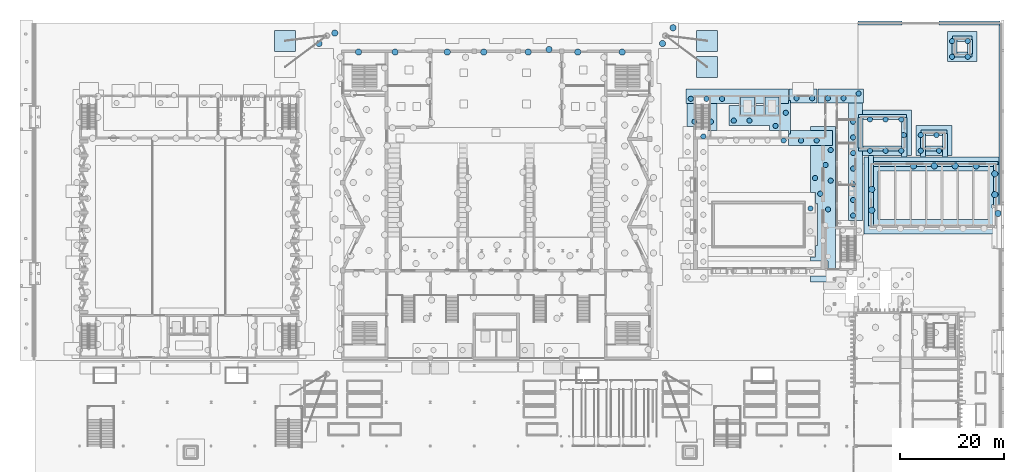
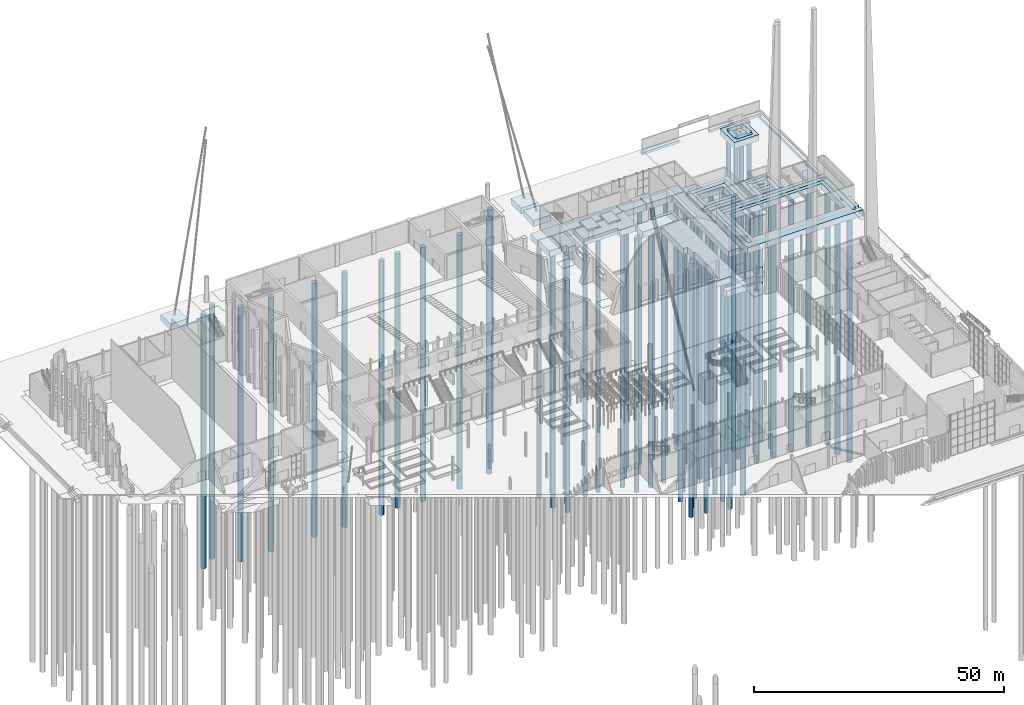
# One storey, part 4 of 108: 68 piles, 36 footings.
"""IFC4 building model written with IfcOpenShell, lengths in metres."""

from ifc_helpers import new_model, si_unit, direction, frame, origin, origin_2d, place, context, subcontext, project, spatial, polyline, rectangle, circle, outline, extrude, material, type_object, element, save


model = new_model("IFC4")

# Units and contexts
model_context = context("Model", 3, precision=1e-05, world=origin(), true_north=direction((0.0, 1.0)))
body_context = subcontext(model_context, "Body", "Model", "MODEL_VIEW")
ifc_project = project(units=[si_unit("LENGTHUNIT", "METRE"), si_unit("AREAUNIT", "SQUARE_METRE"), si_unit("VOLUMEUNIT", "CUBIC_METRE"), si_unit("PLANEANGLEUNIT", "RADIAN"), si_unit("MASSUNIT", "GRAM", prefix="KILO")], contexts=[model_context])

# Site, building, storey
site_placement = place(None, origin())
site = spatial("IfcSite", under=ifc_project, at=site_placement, CompositionType="ELEMENT")
building_placement = place(site_placement, origin())
building = spatial("IfcBuilding", under=site, at=building_placement, Name="Cresset Court Congress Hotel", CompositionType="ELEMENT")
storey_placement = place(building_placement, origin())
storey = spatial("IfcBuildingStorey", under=building, at=storey_placement, Name="L00", CompositionType="ELEMENT", Elevation=0.0)

# Footings
ifc_material_1 = material(Name="Concrete C35", Category="concrete")
footing_type_1 = type_object("IfcFootingType", Name="Anchor block 4000x4000x1500", PredefinedType="PAD_FOOTING", material=ifc_material_1)
for number, where, z_axis, x_axis, name in (
    (1, (128.60009765625, 119.60009765625, -1.800048828125), (0.0, 0.0, 1.0), (1.0, 0.0, 0.0), "Anchor block M3.1"),
    (2, (128.60009765625, 114.60009765625, -1.800048828125), (0.0, 0.0, 1.0), (1.0, 0.0, 0.0), "Anchor block M3.2"),
    (3, (47.800048828125, 119.60009765625, -1.800048828125), (0.0, 0.0, 1.0), (1.0, 0.0, 0.0), "Anchor block M4.1"),
):
    element("IfcFooting", number, at=place(storey_placement, frame(where, z_axis=z_axis, x_axis=x_axis)), inside=storey, type_object=footing_type_1, Name=name, PredefinedType="PAD_FOOTING", context=body_context, shape_type="SweptSolid", body=[
        extrude(rectangle(XDim=4.0, YDim=4.0, at=origin_2d()), origin(), (0.0, 0.0, 1.0), 1.5),
    ])

# Piles
ifc_material_2 = material(Name="Concrete C35", Category="concrete")
pile_type_1 = type_object("IfcPileType", Name="Bored pile D1000", PredefinedType="BORED", material=ifc_material_2)
for number, where, z_axis, x_axis, name in (
    (4, (127.89990234375, 101.300048828125, -2.800048828125), (0.0, 0.0, -1.0), (1.0, 0.0, 0.0), "Pile 143-20"),
    (5, (125.5, 108.5, -2.800048828125), (0.0, 0.0, -1.0), (1.0, 0.0, 0.0), "Pile 144-1"),
    (6, (128.5, 108.5, -2.800048828125), (0.0, 0.0, -1.0), (1.0, 0.0, 0.0), "Pile 144-2"),
    (7, (131.5, 108.5, -2.800048828125), (0.0, 0.0, -1.0), (1.0, 0.0, 0.0), "Pile 144-3"),
    (8, (126.199951171875, 104.1201171875, -2.800048828125), (0.0, 0.0, -1.0), (1.0, 0.0, 0.0), "Pile 145-1"),
    (9, (129.35009765625, 104.1201171875, -2.800048828125), (0.0, 0.0, -1.0), (1.0, 0.0, 0.0), "Pile 146-1"),
    (10, (148.425048828125, 87.5, -2.800048828125), (0.0, 0.0, -1.0), (1.0, 0.0, 0.0), "Pile 148-1"),
    (11, (143.300048828125, 100.5, -2.800048828125), (0.0, 0.0, -1.0), (1.0, 0.0, 0.0), "Pile 150-5"),
    (12, (141.72509765625, 103.320068359375, -2.800048828125), (0.0, 0.0, -1.0), (1.0, 0.0, 0.0), "Pile 151-1"),
    (13, (133.72509765625, 104.320068359375, -2.800048828125), (0.0, 0.0, -1.0), (1.0, 0.0, 0.0), "Pile 151-2"),
    (14, (136.72509765625, 104.320068359375, -2.800048828125), (0.0, 0.0, -1.0), (1.0, 0.0, 0.0), "Pile 151-3"),
    (15, (143.699951171875, 105.820068359375, -2.800048828125), (0.0, 0.0, -1.0), (1.0, 0.0, 0.0), "Pile 151-4"),
    (16, (146.6201171875, 100.5, -2.800048828125), (0.0, 0.0, -1.0), (1.0, 0.0, 0.0), "Pile 152-1"),
    (17, (149.6201171875, 100.5, -2.800048828125), (0.0, 0.0, -1.0), (1.0, 0.0, 0.0), "Pile 152-2"),
    (18, (145.75, 108.60009765625, -2.800048828125), (0.0, 0.0, -1.0), (1.0, 0.0, 0.0), "Pile 153-1"),
    (19, (148.75, 108.60009765625, -2.800048828125), (0.0, 0.0, -1.0), (1.0, 0.0, 0.0), "Pile 153-2"),
    (20, (151.800048828125, 87.320068359375, -2.800048828125), (0.0, 0.0, -1.0), (1.0, 0.0, 0.0), "Pile 155-4"),
    (21, (150.300048828125, 90.320068359375, -2.800048828125), (0.0, 0.0, -1.0), (1.0, 0.0, 0.0), "Pile 155-5"),
    (22, (152.300048828125, 92.820068359375, -2.800048828125), (0.0, 0.0, -1.0), (1.0, 0.0, 0.0), "Pile 155-6"),
    (23, (149.300048828125, 93.320068359375, -2.800048828125), (0.0, 0.0, -1.0), (1.0, 0.0, 0.0), "Pile 155-7"),
    (24, (151.300048828125, 95.820068359375, -2.800048828125), (0.0, 0.0, -1.0), (1.0, 0.0, 0.0), "Pile 155-8"),
    (25, (152.300048828125, 98.679931640625, -2.800048828125), (0.0, 0.0, -1.0), (1.0, 0.0, 0.0), "Pile 155-9"),
    (26, (151.75, 108.60009765625, -2.800048828125), (0.0, 0.0, -1.0), (1.0, 0.0, 0.0), "Pile 156-1"),
    (27, (154.75, 108.60009765625, -2.800048828125), (0.0, 0.0, -1.0), (1.0, 0.0, 0.0), "Pile 156-2"),
    (28, (157.64990234375, 109.5, -2.800048828125), (0.0, 0.0, -1.0), (1.0, 0.0, 0.0), "Pile 156-3"),
    (29, (156.60009765625, 86.1201171875, -2.800048828125), (0.0, 0.0, -1.0), (1.0, 0.0, 0.0), "Pile 163-1"),
    (30, (156.60009765625, 89.1201171875, -2.800048828125), (0.0, 0.0, -1.0), (1.0, 0.0, 0.0), "Pile 163-2"),
    (31, (156.60009765625, 92.1201171875, -2.800048828125), (0.0, 0.0, -1.0), (1.0, 0.0, 0.0), "Pile 163-3"),
    (32, (156.60009765625, 95.1201171875, -2.800048828125), (0.0, 0.0, -1.0), (1.0, 0.0, 0.0), "Pile 163-4"),
    (33, (156.60009765625, 98.1201171875, -2.800048828125), (0.0, 0.0, -1.0), (1.0, 0.0, 0.0), "Pile 163-5"),
    (34, (156.60009765625, 101.1201171875, -2.800048828125), (0.0, 0.0, -1.0), (1.0, 0.0, 0.0), "Pile 163-6"),
    (35, (156.60009765625, 104.1201171875, -2.800048828125), (0.0, 0.0, -1.0), (1.0, 0.0, 0.0), "Pile 163-7"),
    (36, (159.820068359375, 98.550048828125, -1.39990234375), (0.0, 0.0, -1.0), (1.0, 0.0, 0.0), "Pile 164-1"),
    (37, (162.820068359375, 98.550048828125, -1.39990234375), (0.0, 0.0, -1.0), (1.0, 0.0, 0.0), "Pile 164-2"),
    (38, (165.820068359375, 98.550048828125, -1.39990234375), (0.0, 0.0, -1.0), (1.0, 0.0, 0.0), "Pile 164-3"),
    (39, (166.320068359375, 101.550048828125, -1.39990234375), (0.0, 0.0, -1.0), (1.0, 0.0, 0.0), "Pile 164-4"),
    (40, (159.820068359375, 104.550048828125, -1.39990234375), (0.0, 0.0, -1.0), (1.0, 0.0, 0.0), "Pile 164-5"),
    (41, (162.820068359375, 104.550048828125, -1.39990234375), (0.0, 0.0, -1.0), (1.0, 0.0, 0.0), "Pile 164-6"),
    (42, (165.820068359375, 104.550048828125, -1.39990234375), (0.0, 0.0, -1.0), (1.0, 0.0, 0.0), "Pile 164-7"),
    (43, (169.550048828125, 98.550048828125, -1.39990234375), (0.0, 0.0, -1.0), (1.0, 0.0, 0.0), "Pile 172-1"),
    (44, (173.050048828125, 98.550048828125, -1.39990234375), (0.0, 0.0, -1.0), (1.0, 0.0, 0.0), "Pile 172-2"),
    (45, (169.550048828125, 101.550048828125, -1.39990234375), (0.0, 0.0, -1.0), (1.0, 0.0, 0.0), "Pile 172-3"),
    (46, (172.550048828125, 101.550048828125, -1.39990234375), (0.0, 0.0, -1.0), (1.0, 0.0, 0.0), "Pile 172-4"),
    (47, (175.550048828125, 116.550048828125, -1.39990234375), (0.0, 0.0, -1.0), (1.0, 0.0, 0.0), "Pile 174-1"),
    (48, (178.550048828125, 116.550048828125, -1.39990234375), (0.0, 0.0, -1.0), (1.0, 0.0, 0.0), "Pile 174-2"),
    (49, (175.550048828125, 119.550048828125, -1.39990234375), (0.0, 0.0, -1.0), (1.0, 0.0, 0.0), "Pile 174-3"),
    (50, (178.550048828125, 119.550048828125, -1.39990234375), (0.0, 0.0, -1.0), (1.0, 0.0, 0.0), "Pile 174-4"),
):
    element("IfcPile", number, at=place(storey_placement, frame(where, z_axis=z_axis, x_axis=x_axis)), inside=storey, type_object=pile_type_1, Name=name, PredefinedType="BORED", context=body_context, shape_type="SweptSolid", body=[
        extrude(circle(Radius=0.5, at=origin_2d()), origin(), (0.0, 0.0, 1.0), 62.0),
    ])
ifc_material_3 = material(Name="Concrete C35", Category="concrete")
pile_type_2 = type_object("IfcPileType", Name="Bored pile D1200", PredefinedType="BORED", material=ifc_material_3)
for number, where, z_axis, x_axis, name in (
    (51, (61.85009765625, 117.449951171875, -1.39990234375), (0.0, 0.0, -1.0), (1.0, 0.0, 0.0), "Pile 131-138"),
    (52, (68.85009765625, 117.449951171875, -1.39990234375), (0.0, 0.0, -1.0), (1.0, 0.0, 0.0), "Pile 131-139"),
    (53, (78.85009765625, 117.449951171875, -1.39990234375), (0.0, 0.0, -1.0), (1.0, 0.0, 0.0), "Pile 131-140"),
    (54, (85.85009765625, 117.449951171875, -1.39990234375), (0.0, 0.0, -1.0), (1.0, 0.0, 0.0), "Pile 131-141"),
    (55, (94.35009765625, 117.449951171875, -1.39990234375), (0.0, 0.0, -1.0), (1.0, 0.0, 0.0), "Pile 131-142"),
    (56, (103.85009765625, 117.449951171875, -1.39990234375), (0.0, 0.0, -1.0), (1.0, 0.0, 0.0), "Pile 131-143"),
    (57, (112.35009765625, 117.449951171875, -1.39990234375), (0.0, 0.0, -1.0), (1.0, 0.0, 0.0), "Pile 131-144"),
    (58, (98.35009765625, 117.949951171875, -1.39990234375), (0.0, 0.0, -1.0), (1.0, 0.0, 0.0), "Pile 131-145"),
    (59, (54.2919921875, 119.092041015625, -1.39990234375), (0.0, 0.0, -1.0), (1.0, 0.0, 0.0), "Pile 131-146"),
    (60, (120.092041015625, 119.092041015625, -1.39990234375), (0.0, 0.0, -1.0), (1.0, 0.0, 0.0), "Pile 131-147"),
    (61, (57.30810546875, 121.092041015625, -1.39990234375), (0.0, 0.0, -1.0), (1.0, 0.0, 0.0), "Pile 131-148"),
    (62, (122.10791015625, 122.10791015625, -1.39990234375), (0.0, 0.0, -1.0), (1.0, 0.0, 0.0), "Pile 131-149"),
    (63, (184.35009765625, 86.550048828125, -1.39990234375), (0.0, 0.0, -1.0), (1.0, 0.0, 0.0), "Pile 166-7"),
    (64, (160.14990234375, 87.14990234375, -1.39990234375), (0.0, 0.0, -1.0), (1.0, 0.0, 0.0), "Pile 166-8"),
    (65, (183.72998046875, 90.14990234375, -1.39990234375), (0.0, 0.0, -1.0), (1.0, 0.0, 0.0), "Pile 166-9"),
    (66, (160.14990234375, 91.14990234375, -1.39990234375), (0.0, 0.0, -1.0), (1.0, 0.0, 0.0), "Pile 166-10"),
    (67, (183.72998046875, 94.14990234375, -1.39990234375), (0.0, 0.0, -1.0), (1.0, 0.0, 0.0), "Pile 166-11"),
    (68, (168.14990234375, 95.64990234375, -1.39990234375), (0.0, 0.0, -1.0), (1.0, 0.0, 0.0), "Pile 166-12"),
    (69, (172.14990234375, 95.64990234375, -1.39990234375), (0.0, 0.0, -1.0), (1.0, 0.0, 0.0), "Pile 166-13"),
    (70, (176.14990234375, 95.64990234375, -1.39990234375), (0.0, 0.0, -1.0), (1.0, 0.0, 0.0), "Pile 166-14"),
    (71, (180.14990234375, 95.64990234375, -1.39990234375), (0.0, 0.0, -1.0), (1.0, 0.0, 0.0), "Pile 166-15"),
):
    element("IfcPile", number, at=place(storey_placement, frame(where, z_axis=z_axis, x_axis=x_axis)), inside=storey, type_object=pile_type_2, Name=name, PredefinedType="BORED", context=body_context, shape_type="SweptSolid", body=[
        extrude(circle(Radius=0.60009765625, at=origin_2d()), origin(), (0.0, 0.0, 1.0), 62.0),
    ])

# Footings
ifc_material_4 = material(Name="Concrete C35", Category="concrete")
footing_type_2 = type_object("IfcFootingType", Name="Lift pit raft 300 C35", PredefinedType="PAD_FOOTING", material=ifc_material_4)
footing_1_placement = place(storey_placement, frame((0.0, 0.0, -1.39990234375)))
element("IfcFooting", 72, at=footing_1_placement, inside=storey, type_object=footing_type_2, Name="Lift pit raft 1", PredefinedType="PAD_FOOTING", context=body_context, shape_type="SweptSolid", body=[
    extrude(outline(polyline([(135.0, 105.39990234375), (137.72509765625, 105.39990234375), (137.72509765625, 108.800048828125), (135.0, 108.800048828125), (135.0, 105.39990234375)])), origin(), (0.0, 0.0, 1.0), 0.2998046875),
])
footing_2_placement = place(storey_placement, frame((0.0, 0.0, -1.39990234375)))
element("IfcFooting", 73, at=footing_2_placement, inside=storey, type_object=footing_type_2, Name="Lift pit raft 2", PredefinedType="PAD_FOOTING", context=body_context, shape_type="SweptSolid", body=[
    extrude(outline(polyline([(139.699951171875, 105.39990234375), (142.39990234375, 105.39990234375), (142.39990234375, 108.800048828125), (139.699951171875, 108.800048828125), (139.699951171875, 105.39990234375)])), origin(), (0.0, 0.0, 1.0), 0.2998046875),
])
ifc_material_5 = material(Name="Concrete C35", Category="concrete")
footing_type_3 = type_object("IfcFootingType", Name="Pile cap 2.7x22.46, 7 piles", PredefinedType="PILE_CAP", material=ifc_material_5)
footing_3_placement = place(storey_placement, frame((0.0, 0.0, -2.89990234375)))
element("IfcFooting", 74, at=footing_3_placement, inside=storey, type_object=footing_type_3, Name="Pile cap PC163", PredefinedType="PILE_CAP", context=body_context, shape_type="SweptSolid", body=[
    extrude(outline(polyline([(158.39990234375, 107.679931640625), (158.39990234375, 85.219970703125), (155.699951171875, 85.219970703125), (155.699951171875, 107.679931640625), (158.39990234375, 107.679931640625)])), origin(), (0.0, 0.0, 1.0), 1.5),
])
ifc_material_6 = material(Name="Concrete C35", Category="concrete")
footing_type_4 = type_object("IfcFootingType", Name="Pile cap 2.8x4.36, 1 pile", PredefinedType="PILE_CAP", material=ifc_material_6)
footing_4_placement = place(storey_placement, frame((0.0, 0.0, -2.89990234375)))
element("IfcFooting", 75, at=footing_4_placement, inside=storey, type_object=footing_type_4, Name="Pile cap PC145", PredefinedType="PILE_CAP", context=body_context, shape_type="SweptSolid", body=[
    extrude(outline(polyline([(127.60009765625, 107.580078125), (127.60009765625, 103.219970703125), (124.800048828125, 103.219970703125), (124.800048828125, 107.580078125), (127.60009765625, 107.580078125)])), origin(), (0.0, 0.0, 1.0), 1.5),
])
ifc_material_7 = material(Name="Concrete C35", Category="concrete")
footing_type_5 = type_object("IfcFootingType", Name="Pile cap 8.7x2.7, 3 piles", PredefinedType="PILE_CAP", material=ifc_material_7)
footing_5_placement = place(storey_placement, frame((0.0, 0.0, -2.89990234375)))
element("IfcFooting", 76, at=footing_5_placement, inside=storey, type_object=footing_type_5, Name="Pile cap PC156", PredefinedType="PILE_CAP", context=body_context, shape_type="SweptSolid", body=[
    extrude(outline(polyline([(158.550048828125, 107.699951171875), (149.85009765625, 107.699951171875), (149.85009765625, 110.39990234375), (158.550048828125, 110.39990234375), (158.550048828125, 107.699951171875)])), origin(), (0.0, 0.0, 1.0), 1.5),
])
ifc_material_8 = material(Name="Concrete C35", Category="concrete")
footing_type_6 = type_object("IfcFootingType", Name="Pile cap group 106.3 m2, 9 piles", PredefinedType="PILE_CAP", material=ifc_material_8)
footing_6_placement = place(storey_placement, frame((0.0, 0.0, -2.89990234375)))
element("IfcFooting", 77, at=footing_6_placement, inside=storey, type_object=footing_type_6, Name="Pile cap PC155", PredefinedType="PILE_CAP", context=body_context, shape_type="SweptSolid", body=[
    extrude(outline(polyline([(148.39990234375, 73.39990234375), (148.39990234375, 74.580078125), (151.820068359375, 74.580078125), (151.820068359375, 77.419921875), (148.39990234375, 77.419921875), (148.39990234375, 78.22998046875), (149.344970703125, 78.22998046875), (149.344970703125, 80.39990234375), (149.77001953125, 80.39990234375), (149.77001953125, 88.39990234375), (149.344970703125, 88.39990234375), (149.344970703125, 90.570068359375), (148.39990234375, 90.570068359375), (148.39990234375, 99.580078125), (152.6201171875, 99.580078125), (152.6201171875, 102.419921875), (148.39990234375, 102.419921875), (148.39990234375, 103.199951171875), (153.199951171875, 103.199951171875), (153.199951171875, 73.39990234375), (148.39990234375, 73.39990234375)])), origin(), (0.0, 0.0, 1.0), 1.5),
])
ifc_material_9 = material(Name="Concrete C35", Category="concrete")
footing_type_7 = type_object("IfcFootingType", Name="Pile cap group 12.7 m2, 1 pile", PredefinedType="PILE_CAP", material=ifc_material_9)
footing_7_placement = place(storey_placement, frame((0.0, 0.0, -2.89990234375)))
element("IfcFooting", 78, at=footing_7_placement, inside=storey, type_object=footing_type_7, Name="Pile cap PC146", PredefinedType="PILE_CAP", context=body_context, shape_type="SweptSolid", body=[
    extrude(outline(polyline([(127.949951171875, 103.219970703125), (127.949951171875, 107.580078125), (130.550048828125, 107.580078125), (130.550048828125, 102.419921875), (128.820068359375, 102.419921875), (128.820068359375, 103.219970703125), (127.949951171875, 103.219970703125)])), origin(), (0.0, 0.0, 1.0), 1.5),
])
ifc_material_10 = material(Name="Concrete C35", Category="concrete")
footing_type_8 = type_object("IfcFootingType", Name="Pile cap group 14.2 m2, 2 piles", PredefinedType="PILE_CAP", material=ifc_material_10)
footing_8_placement = place(storey_placement, frame((0.0, 0.0, -2.89990234375)))
element("IfcFooting", 79, at=footing_8_placement, inside=storey, type_object=footing_type_8, Name="Pile cap PC153", PredefinedType="PILE_CAP", context=body_context, shape_type="SweptSolid", body=[
    extrude(outline(polyline([(149.64990234375, 107.699951171875), (144.6201171875, 107.699951171875), (144.6201171875, 108.199951171875), (144.35009765625, 108.199951171875), (144.35009765625, 110.39990234375), (149.64990234375, 110.39990234375), (149.64990234375, 107.699951171875)])), origin(), (0.0, 0.0, 1.0), 1.5),
])
ifc_material_11 = material(Name="Concrete C35", Category="concrete")
footing_type_9 = type_object("IfcFootingType", Name="Pile cap group 187.3 m2, 15 piles", PredefinedType="PILE_CAP", material=ifc_material_11)
footing_9_placement = place(storey_placement, frame((0.0, 0.0, -1.5)))
element("IfcFooting", 80, at=footing_9_placement, inside=storey, type_object=footing_type_9, Name="Pile cap PC166", PredefinedType="PILE_CAP", context=body_context, shape_type="SweptSolid", body=[
    extrude(outline(polyline([(158.64990234375, 97.35009765625), (184.72998046875, 97.35009765625), (184.72998046875, 88.030029296875), (185.070068359375, 88.030029296875), (185.070068359375, 88.050048828125), (185.35009765625, 88.050048828125), (185.35009765625, 84.35009765625), (184.89990234375, 84.35009765625), (184.89990234375, 83.64990234375), (185.35009765625, 83.64990234375), (185.35009765625, 82.64990234375), (158.64990234375, 82.64990234375), (158.64990234375, 97.35009765625)]), holes=[polyline([(182.64990234375, 94.64990234375), (161.35009765625, 94.64990234375), (161.35009765625, 85.35009765625), (182.64990234375, 85.35009765625), (182.64990234375, 94.64990234375)]), polyline([(183.5, 83.64990234375), (184.199951171875, 83.64990234375), (184.199951171875, 84.35009765625), (183.5, 84.35009765625), (183.5, 83.64990234375)]), polyline([(183.199951171875, 87.550048828125), (183.89990234375, 87.550048828125), (183.89990234375, 88.25), (183.199951171875, 88.25), (183.199951171875, 87.550048828125)])]), origin(), (0.0, 0.0, 1.0), 1.5),
])
ifc_material_12 = material(Name="Concrete C35", Category="concrete")
footing_type_10 = type_object("IfcFootingType", Name="Pile cap group 23.2 m2, 2 piles", PredefinedType="PILE_CAP", material=ifc_material_12)
footing_10_placement = place(storey_placement, frame((0.0, 0.0, -2.89990234375)))
element("IfcFooting", 81, at=footing_10_placement, inside=storey, type_object=footing_type_10, Name="Pile cap PC152", PredefinedType="PILE_CAP", context=body_context, shape_type="SweptSolid", body=[
    extrude(outline(polyline([(144.219970703125, 101.800048828125), (144.6201171875, 101.800048828125), (144.6201171875, 102.39990234375), (152.60009765625, 102.39990234375), (152.60009765625, 99.60009765625), (144.219970703125, 99.60009765625), (144.219970703125, 101.800048828125)])), origin(), (0.0, 0.0, 1.0), 1.5),
])
ifc_material_13 = material(Name="Concrete C35", Category="concrete")
footing_type_11 = type_object("IfcFootingType", Name="Pile cap group 32.4 m2, 4 piles", PredefinedType="PILE_CAP", material=ifc_material_13)
footing_11_placement = place(storey_placement, frame((0.0, 0.0, -1.5)))
element("IfcFooting", 82, at=footing_11_placement, inside=storey, type_object=footing_type_11, Name="Pile cap PC174", PredefinedType="PILE_CAP", context=body_context, shape_type="SweptSolid", body=[
    extrude(outline(polyline([(174.64990234375, 115.64990234375), (174.64990234375, 121.35009765625), (180.35009765625, 121.35009765625), (180.35009765625, 115.64990234375), (174.64990234375, 115.64990234375)]), holes=[polyline([(177.64990234375, 118.35009765625), (177.64990234375, 118.64990234375), (177.35009765625, 118.64990234375), (177.35009765625, 118.35009765625), (177.64990234375, 118.35009765625)])]), origin(), (0.0, 0.0, 1.0), 1.5),
])
ifc_material_14 = material(Name="Concrete C35", Category="concrete")
footing_type_12 = type_object("IfcFootingType", Name="Pile cap group 38.5 m2, 4 piles", PredefinedType="PILE_CAP", material=ifc_material_14)
footing_12_placement = place(storey_placement, frame((0.0, 0.0, -2.89990234375)))
element("IfcFooting", 83, at=footing_12_placement, inside=storey, type_object=footing_type_12, Name="Pile cap PC151", PredefinedType="PILE_CAP", context=body_context, shape_type="SweptSolid", body=[
    extrude(outline(polyline([(144.219970703125, 107.580078125), (144.219970703125, 108.179931640625), (144.60009765625, 108.179931640625), (144.60009765625, 101.820068359375), (144.219970703125, 101.820068359375), (144.219970703125, 102.419921875), (140.60009765625, 102.419921875), (140.60009765625, 103.35009765625), (132.824951171875, 103.35009765625), (132.824951171875, 107.199951171875), (134.85009765625, 107.199951171875), (134.85009765625, 105.25), (137.875, 105.25), (137.875, 107.199951171875), (139.550048828125, 107.199951171875), (139.550048828125, 105.25), (142.550048828125, 105.25), (142.550048828125, 107.580078125), (144.219970703125, 107.580078125)])), origin(), (0.0, 0.0, 1.0), 1.5),
])
ifc_material_15 = material(Name="Concrete C35", Category="concrete")
footing_type_13 = type_object("IfcFootingType", Name="Pile cap group 38.9 m2, 4 piles", PredefinedType="PILE_CAP", material=ifc_material_15)
footing_13_placement = place(storey_placement, frame((0.0, 0.0, -1.5)))
element("IfcFooting", 84, at=footing_13_placement, inside=storey, type_object=footing_type_13, Name="Pile cap PC172", PredefinedType="PILE_CAP", context=body_context, shape_type="SweptSolid", body=[
    extrude(outline(polyline([(168.64990234375, 103.35009765625), (175.550048828125, 103.35009765625), (175.550048828125, 97.64990234375), (168.64990234375, 97.64990234375), (168.64990234375, 103.35009765625)]), holes=[polyline([(172.85009765625, 100.35009765625), (172.85009765625, 100.64990234375), (171.35009765625, 100.64990234375), (171.35009765625, 100.35009765625), (172.85009765625, 100.35009765625)])]), origin(), (0.0, 0.0, 1.0), 1.5),
])
ifc_material_16 = material(Name="Concrete C35", Category="concrete")
footing_type_14 = type_object("IfcFootingType", Name="Pile cap group 46.7 m2, 3 piles", PredefinedType="PILE_CAP", material=ifc_material_16)
footing_14_placement = place(storey_placement, frame((0.0, 0.0, -2.89990234375)))
element("IfcFooting", 85, at=footing_14_placement, inside=storey, type_object=footing_type_14, Name="Pile cap PC144", PredefinedType="PILE_CAP", context=body_context, shape_type="SweptSolid", body=[
    extrude(outline(polyline([(144.199951171875, 107.60009765625), (142.550048828125, 107.60009765625), (142.550048828125, 108.949951171875), (139.550048828125, 108.949951171875), (139.550048828125, 107.60009765625), (137.875, 107.60009765625), (137.875, 108.949951171875), (134.85009765625, 108.949951171875), (134.85009765625, 107.60009765625), (124.60009765625, 107.60009765625), (124.60009765625, 110.39990234375), (144.199951171875, 110.39990234375), (144.199951171875, 107.60009765625)])), origin(), (0.0, 0.0, 1.0), 1.5),
])
ifc_material_17 = material(Name="Concrete C35", Category="concrete")
footing_type_15 = type_object("IfcFootingType", Name="Pile cap group 62.4 m2, 7 piles", PredefinedType="PILE_CAP", material=ifc_material_17)
footing_15_placement = place(storey_placement, frame((0.0, 0.0, -1.5)))
element("IfcFooting", 86, at=footing_15_placement, inside=storey, type_object=footing_type_15, Name="Pile cap PC164", PredefinedType="PILE_CAP", context=body_context, shape_type="SweptSolid", body=[
    extrude(outline(polyline([(158.419921875, 97.64990234375), (158.419921875, 106.35009765625), (167.75, 106.35009765625), (167.75, 97.64990234375), (158.419921875, 97.64990234375)]), holes=[polyline([(165.050048828125, 100.35009765625), (165.050048828125, 103.64990234375), (159.35009765625, 103.64990234375), (159.35009765625, 100.35009765625), (165.050048828125, 100.35009765625)])]), origin(), (0.0, 0.0, 1.0), 1.5),
])
ifc_material_18 = material(Name="Concrete C35", Category="concrete")
footing_type_16 = type_object("IfcFootingType", Name="Strip footing 1000x600", PredefinedType="STRIP_FOOTING", material=ifc_material_18)
footing_16_placement = place(storey_placement, frame((0.0, 0.0, -1.800048828125)))
element("IfcFooting", 87, at=footing_16_placement, inside=storey, type_object=footing_type_16, Name="Strip footing PE06", PredefinedType="STRIP_FOOTING", context=body_context, shape_type="SweptSolid", body=[
    extrude(outline(polyline([(184.5, 88.199951171875), (184.5, 123.0), (185.300048828125, 123.0), (185.300048828125, 88.199951171875), (184.5, 88.199951171875)])), origin(), (0.0, 0.0, 1.0), 0.60009765625),
])
footing_17_placement = place(storey_placement, frame((0.0, 0.0, -0.60009765625)))
element("IfcFooting", 88, at=footing_17_placement, inside=storey, type_object=footing_type_16, Name="Strip footing DKN", PredefinedType="STRIP_FOOTING", context=body_context, shape_type="SweptSolid", body=[
    extrude(outline(polyline([(159.625, 95.5), (184.375, 95.5), (184.375, 96.5), (159.625, 96.5), (159.625, 95.5)])), origin(), (0.0, 0.0, 1.0), 0.60009765625),
])
footing_18_placement = place(storey_placement, frame((0.0, 0.0, -0.60009765625)))
element("IfcFooting", 89, at=footing_18_placement, inside=storey, type_object=footing_type_16, Name="Strip footing DKW", PredefinedType="STRIP_FOOTING", context=body_context, shape_type="SweptSolid", body=[
    extrude(outline(polyline([(159.5, 84.125), (160.5, 84.125), (160.5, 97.64990234375), (159.5, 97.64990234375), (159.5, 84.125)])), origin(), (0.0, 0.0, 1.0), 0.60009765625),
])
footing_19_placement = place(storey_placement, frame((0.0, 0.0, -0.60009765625)))
element("IfcFooting", 90, at=footing_19_placement, inside=storey, type_object=footing_type_16, Name="Strip footing DKE", PredefinedType="STRIP_FOOTING", context=body_context, shape_type="SweptSolid", body=[
    extrude(outline(polyline([(183.5, 84.125), (184.5, 84.125), (184.5, 95.875), (183.5, 95.875), (183.5, 84.125)])), origin(), (0.0, 0.0, 1.0), 0.60009765625),
])
footing_20_placement = place(storey_placement, frame((0.0, 0.0, -0.60009765625)))
element("IfcFooting", 91, at=footing_20_placement, inside=storey, type_object=footing_type_16, Name="Strip footing RFS", PredefinedType="STRIP_FOOTING", context=body_context, shape_type="SweptSolid", body=[
    extrude(outline(polyline([(157.625, 98.5), (166.77490234375, 98.5), (166.77490234375, 99.5), (157.625, 99.5), (157.625, 98.5)])), origin(), (0.0, 0.0, 1.0), 0.60009765625),
])
footing_21_placement = place(storey_placement, frame((0.0, 0.0, -0.60009765625)))
element("IfcFooting", 92, at=footing_21_placement, inside=storey, type_object=footing_type_16, Name="Strip footing RFN", PredefinedType="STRIP_FOOTING", context=body_context, shape_type="SweptSolid", body=[
    extrude(outline(polyline([(157.625, 104.5), (166.77490234375, 104.5), (166.77490234375, 105.5), (157.625, 105.5), (157.625, 104.5)])), origin(), (0.0, 0.0, 1.0), 0.60009765625),
])
footing_22_placement = place(storey_placement, frame((0.0, 0.0, -0.60009765625)))
element("IfcFooting", 93, at=footing_22_placement, inside=storey, type_object=footing_type_16, Name="Strip footing RFW", PredefinedType="STRIP_FOOTING", context=body_context, shape_type="SweptSolid", body=[
    extrude(outline(polyline([(157.5, 99.125), (158.5, 99.125), (158.5, 104.875), (157.5, 104.875), (157.5, 99.125)])), origin(), (0.0, 0.0, 1.0), 0.60009765625),
])
footing_23_placement = place(storey_placement, frame((0.0, 0.0, -0.60009765625)))
element("IfcFooting", 94, at=footing_23_placement, inside=storey, type_object=footing_type_16, Name="Strip footing RFE", PredefinedType="STRIP_FOOTING", context=body_context, shape_type="SweptSolid", body=[
    extrude(outline(polyline([(165.89990234375, 97.35009765625), (166.89990234375, 97.35009765625), (166.89990234375, 104.875), (165.89990234375, 104.875), (165.89990234375, 97.35009765625)])), origin(), (0.0, 0.0, 1.0), 0.60009765625),
])
footing_24_placement = place(storey_placement, frame((0.0, 0.0, -0.60009765625)))
element("IfcFooting", 95, at=footing_24_placement, inside=storey, type_object=footing_type_16, Name="Strip footing SKS", PredefinedType="STRIP_FOOTING", context=body_context, shape_type="SweptSolid", body=[
    extrude(outline(polyline([(169.625, 98.5), (174.574951171875, 98.5), (174.574951171875, 99.5), (169.625, 99.5), (169.625, 98.5)])), origin(), (0.0, 0.0, 1.0), 0.60009765625),
])
footing_25_placement = place(storey_placement, frame((0.0, 0.0, -0.60009765625)))
element("IfcFooting", 96, at=footing_25_placement, inside=storey, type_object=footing_type_16, Name="Strip footing SKN", PredefinedType="STRIP_FOOTING", context=body_context, shape_type="SweptSolid", body=[
    extrude(outline(polyline([(169.625, 101.5), (174.574951171875, 101.5), (174.574951171875, 102.5), (169.625, 102.5), (169.625, 101.5)])), origin(), (0.0, 0.0, 1.0), 0.60009765625),
])
footing_26_placement = place(storey_placement, frame((0.0, 0.0, -0.60009765625)))
element("IfcFooting", 97, at=footing_26_placement, inside=storey, type_object=footing_type_16, Name="Strip footing SKW", PredefinedType="STRIP_FOOTING", context=body_context, shape_type="SweptSolid", body=[
    extrude(outline(polyline([(169.5, 97.35009765625), (170.5, 97.35009765625), (170.5, 101.875), (169.5, 101.875), (169.5, 97.35009765625)])), origin(), (0.0, 0.0, 1.0), 0.60009765625),
])
footing_27_placement = place(storey_placement, frame((0.0, 0.0, -0.60009765625)))
element("IfcFooting", 98, at=footing_27_placement, inside=storey, type_object=footing_type_16, Name="Strip footing SKE", PredefinedType="STRIP_FOOTING", context=body_context, shape_type="SweptSolid", body=[
    extrude(outline(polyline([(173.699951171875, 97.35009765625), (174.699951171875, 97.35009765625), (174.699951171875, 101.875), (173.699951171875, 101.875), (173.699951171875, 97.35009765625)])), origin(), (0.0, 0.0, 1.0), 0.60009765625),
])
footing_28_placement = place(storey_placement, frame((0.0, 0.0, -0.60009765625)))
element("IfcFooting", 99, at=footing_28_placement, inside=storey, type_object=footing_type_16, Name="Strip footing GHS", PredefinedType="STRIP_FOOTING", context=body_context, shape_type="SweptSolid", body=[
    extrude(outline(polyline([(175.625, 116.5), (179.375, 116.5), (179.375, 117.5), (175.625, 117.5), (175.625, 116.5)])), origin(), (0.0, 0.0, 1.0), 0.60009765625),
])
footing_29_placement = place(storey_placement, frame((0.0, 0.0, -0.60009765625)))
element("IfcFooting", 100, at=footing_29_placement, inside=storey, type_object=footing_type_16, Name="Strip footing GHN", PredefinedType="STRIP_FOOTING", context=body_context, shape_type="SweptSolid", body=[
    extrude(outline(polyline([(175.625, 119.5), (179.375, 119.5), (179.375, 120.5), (175.625, 120.5), (175.625, 119.5)])), origin(), (0.0, 0.0, 1.0), 0.60009765625),
])
footing_30_placement = place(storey_placement, frame((0.0, 0.0, -0.60009765625)))
element("IfcFooting", 101, at=footing_30_placement, inside=storey, type_object=footing_type_16, Name="Strip footing GHW", PredefinedType="STRIP_FOOTING", context=body_context, shape_type="SweptSolid", body=[
    extrude(outline(polyline([(175.5, 117.125), (176.5, 117.125), (176.5, 119.875), (175.5, 119.875), (175.5, 117.125)])), origin(), (0.0, 0.0, 1.0), 0.60009765625),
])
footing_31_placement = place(storey_placement, frame((0.0, 0.0, -0.60009765625)))
element("IfcFooting", 102, at=footing_31_placement, inside=storey, type_object=footing_type_16, Name="Strip footing GHE", PredefinedType="STRIP_FOOTING", context=body_context, shape_type="SweptSolid", body=[
    extrude(outline(polyline([(178.5, 117.125), (179.5, 117.125), (179.5, 119.875), (178.5, 119.875), (178.5, 117.125)])), origin(), (0.0, 0.0, 1.0), 0.60009765625),
])
footing_32_placement = place(storey_placement, frame((0.0, 0.0, -1.199951171875)))
element("IfcFooting", 103, at=footing_32_placement, inside=storey, type_object=footing_type_16, Name="Strip footing gate wall W", PredefinedType="STRIP_FOOTING", context=body_context, shape_type="SweptSolid", body=[
    extrude(outline(polyline([(157.5, 123.39990234375), (166.0, 123.39990234375), (166.0, 122.60009765625), (157.5, 122.60009765625), (157.5, 123.39990234375)])), origin(), (0.0, 0.0, 1.0), 0.599853515625),
])
footing_33_placement = place(storey_placement, frame((0.0, 0.0, -1.199951171875)))
element("IfcFooting", 104, at=footing_33_placement, inside=storey, type_object=footing_type_16, Name="Strip footing gate wall E", PredefinedType="STRIP_FOOTING", context=body_context, shape_type="SweptSolid", body=[
    extrude(outline(polyline([(173.0, 123.39990234375), (184.75, 123.39990234375), (184.75, 122.60009765625), (173.0, 122.60009765625), (173.0, 123.39990234375)])), origin(), (0.0, 0.0, 1.0), 0.599853515625),
])

save(model, "model.ifc")
